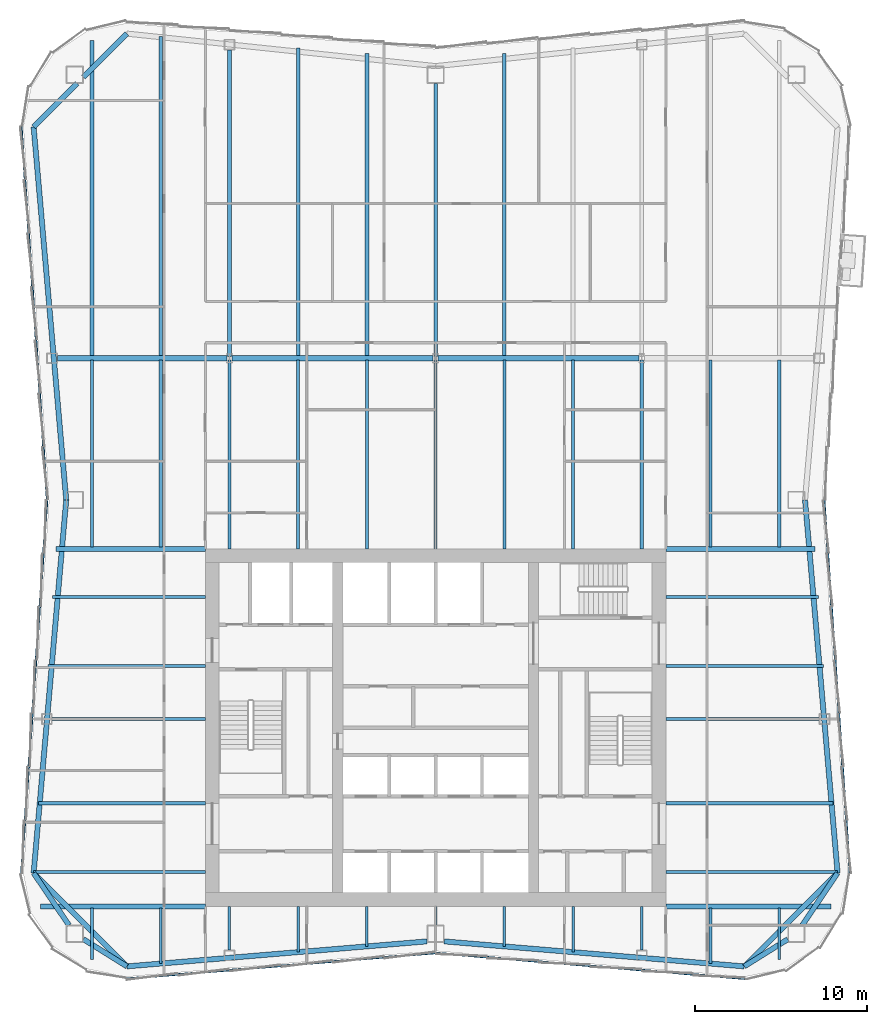
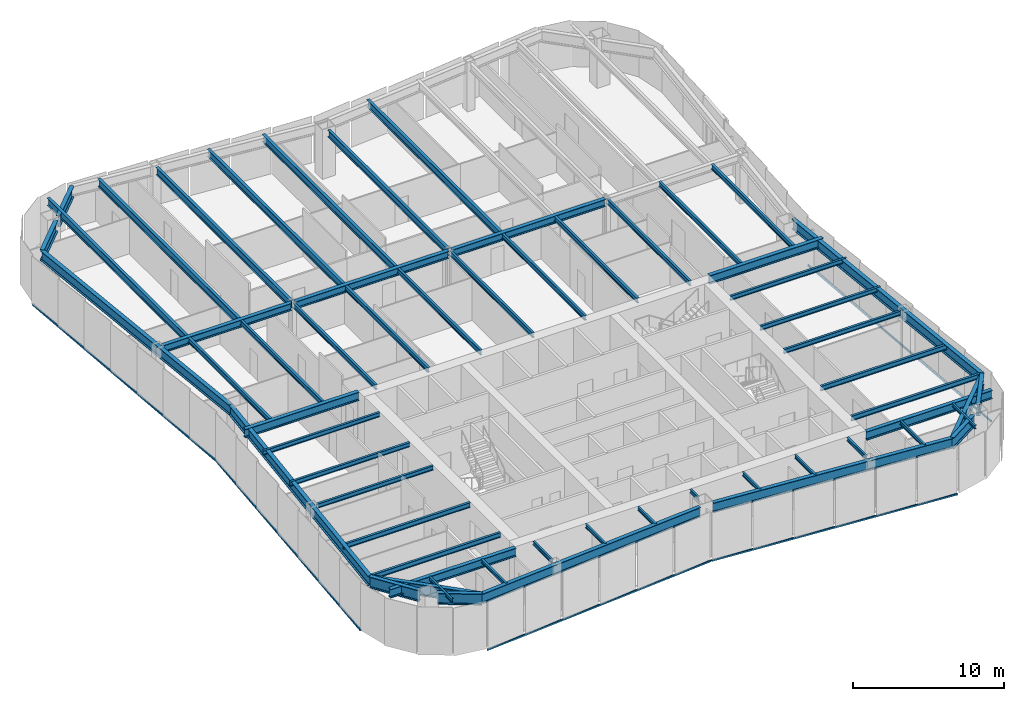
# One storey, part 3 of 11: 59 beams, 5 members, 3 elements without a shape of their own.
"""IFC4 building model written with IfcOpenShell, lengths in metres."""

from ifc_helpers import new_model, si_unit, direction, frame, origin, origin_2d, place, context, subcontext, project, spatial, rectangle, i_section, extrude, material, material_profile, profile_set, type_object, element, aggregate, save


model = new_model("IFC4")

# Units and contexts
model_context = context("Model", 3, precision=1e-05, world=origin(), true_north=direction((0.0, 1.0)))
body_context = subcontext(model_context, "Body", "Model", "MODEL_VIEW")
ifc_project = project(units=[si_unit("LENGTHUNIT", "METRE"), si_unit("AREAUNIT", "SQUARE_METRE"), si_unit("VOLUMEUNIT", "CUBIC_METRE"), si_unit("PLANEANGLEUNIT", "RADIAN"), si_unit("MASSUNIT", "GRAM", prefix="KILO")], contexts=[model_context])

# Site, building, storey
site_placement = place(None, origin())
site = spatial("IfcSite", under=ifc_project, at=site_placement, CompositionType="ELEMENT")
building_placement = place(site_placement, origin())
building = spatial("IfcBuilding", under=site, at=building_placement, Name="Verdant Reach Tower", CompositionType="ELEMENT")
storey_placement = place(building_placement, frame((0.0, 0.0, 254.0)))
storey = spatial("IfcBuildingStorey", under=building, at=storey_placement, Name="L58", CompositionType="ELEMENT", Elevation=254.0)

# Curtain wall, member
ifc_material_1 = material(Name="Anodised aluminium", Category="aluminium")
curtain_wall_type = type_object("IfcCurtainWallType", Name="EN-CW SYSTEM Z4", PredefinedType="NOTDEFINED", material=ifc_material_1)
curtain_wall_1_placement = place(storey_placement, origin())
curtain_wall_1 = element("IfcCurtainWall", 1, at=curtain_wall_1_placement, inside=storey, type_object=curtain_wall_type, Name="Curtain wall east, L58", PredefinedType="NOTDEFINED")
ifc_material_profile_1 = material_profile(ifc_material_1, rectangle(XDim=0.10009765625, YDim=0.1279296875, at=origin_2d()), Name="Transom 128x100")
ifc_profile_set_1 = profile_set([ifc_material_profile_1], Name="Anodised aluminium")
member_type = type_object("IfcMemberType", Name="EN-TRANSOM Z4", PredefinedType="USERDEFINED", material=ifc_profile_set_1)
member_1_placement = place(storey_placement, frame((24.109375, 19.52685546875, -0.285888671875), z_axis=(-0.068770489035, 0.997632507408, 0.0), x_axis=(-0.997632507408, -0.068770489035, 0.0)))
member_1 = element("IfcMember", 2, at=member_1_placement, type_object=member_type, Name="Transom east face part 1 1.1, L58", ObjectType="TRANSOM", PredefinedType="USERDEFINED", context=body_context, shape_type="SweptSolid", body=[
    extrude(rectangle(XDim=0.10009765625, YDim=0.1279296875, at=origin_2d()), origin(), (0.0, 0.0, 1.0), 21.74072265625),
])
aggregate(curtain_wall_1, [member_1])

# Curtain wall, members
curtain_wall_2_placement = place(storey_placement, origin())
curtain_wall_2 = element("IfcCurtainWall", 3, at=curtain_wall_2_placement, inside=storey, type_object=curtain_wall_type, Name="Curtain wall west, L58", PredefinedType="NOTDEFINED")
member_2_placement = place(storey_placement, frame((-24.109375, 62.97314453125, -0.285888671875), z_axis=(0.068770489035, -0.997632507408, 0.0), x_axis=(0.997632507408, 0.068770489035, 0.0)))
member_2 = element("IfcMember", 4, at=member_2_placement, type_object=member_type, Name="Transom west face part 1 1.1, L58", ObjectType="TRANSOM", PredefinedType="USERDEFINED", context=body_context, shape_type="SweptSolid", body=[
    extrude(rectangle(XDim=0.10009765625, YDim=0.1279296875, at=origin_2d()), origin(), (0.0, 0.0, 1.0), 21.74072265625),
])
member_3_placement = place(storey_placement, frame((-22.6142578125, 41.216064453125, -0.285888671875), z_axis=(-0.068770489035, -0.997632507408, 0.0), x_axis=(0.997632507408, -0.068770489035, 0.0)))
member_3 = element("IfcMember", 5, at=member_3_placement, type_object=member_type, Name="Transom west face part 2 1.1, L58", ObjectType="TRANSOM", PredefinedType="USERDEFINED", context=body_context, shape_type="SweptSolid", body=[
    extrude(rectangle(XDim=0.10009765625, YDim=0.1279296875, at=origin_2d()), origin(), (0.0, 0.0, 1.0), 21.74072265625),
])
aggregate(curtain_wall_2, [member_2, member_3])

curtain_wall_3_placement = place(storey_placement, origin())
curtain_wall_3 = element("IfcCurtainWall", 6, at=curtain_wall_3_placement, inside=storey, type_object=curtain_wall_type, Name="Curtain wall south, L58", PredefinedType="NOTDEFINED")
member_4_placement = place(storey_placement, frame((-17.972412109375, 13.39111328125, -0.285888671875), z_axis=(0.996549124771, 0.083005071637, 0.0), x_axis=(-0.083005071637, 0.996549124771, 0.0)))
member_4 = element("IfcMember", 7, at=member_4_placement, type_object=member_type, Name="Transom south face part 1 1.1, L58", ObjectType="TRANSOM", PredefinedType="USERDEFINED", context=body_context, shape_type="SweptSolid", body=[
    extrude(rectangle(XDim=0.10009765625, YDim=0.1279296875, at=origin_2d()), origin(), (0.0, 0.0, 1.0), 18.00048828125),
])
member_5_placement = place(storey_placement, frame((0.033935546875, 14.88525390625, -0.285888671875), z_axis=(0.996549124771, -0.083005071637, 0.0), x_axis=(0.083005071637, 0.996549124771, 0.0)))
member_5 = element("IfcMember", 8, at=member_5_placement, type_object=member_type, Name="Transom south face part 2 1.1, L58", ObjectType="TRANSOM", PredefinedType="USERDEFINED", context=body_context, shape_type="SweptSolid", body=[
    extrude(rectangle(XDim=0.10009765625, YDim=0.1279296875, at=origin_2d()), origin(), (0.0, 0.0, 1.0), 18.00048828125),
])
aggregate(curtain_wall_3, [member_4, member_5])

# Beams
ifc_material_2 = material(Name="Steel S355", Category="steel")
ifc_material_profile_2 = material_profile(ifc_material_2, i_section(OverallWidth=0.300048828125, OverallDepth=0.60009765625, WebThickness=0.015380859375, FlangeThickness=0.030029296875, FilletRadius=0.027099609375, at=origin_2d()), Name="HEB 600")
ifc_profile_set_2 = profile_set([ifc_material_profile_2], Name="Steel S355")
beam_type_1 = type_object("IfcBeamType", Name="ST-BEAM-HEB600", PredefinedType="BEAM", material=ifc_profile_set_2)
beam_1_placement = place(storey_placement, frame((-22.01904296875, 49.5, 3.570068359375), z_axis=(1.0, 0.0, 0.0), x_axis=(0.0, 1.0, 0.0)))
element("IfcBeam", 9, at=beam_1_placement, inside=storey, type_object=beam_type_1, Name="Row girder, L58", PredefinedType="BEAM", context=body_context, shape_type="SweptSolid", body=[
    extrude(i_section(OverallWidth=0.300048828125, OverallDepth=0.60009765625, WebThickness=0.015380859375, FlangeThickness=0.030029296875, FilletRadius=0.027099609375, at=origin_2d()), origin(), (0.0, 0.0, 1.0), 9.865966796875),
])
for number, where, z_axis, x_axis, name in (
    (10, (-11.846923828125, 49.5, 3.570068359375), (1.0, 0.0, 0.0), (0.0, 1.0, 0.0), "Row girder, L58"),
    (11, (0.153076171875, 49.5, 3.570068359375), (1.0, 0.0, 0.0), (0.0, 1.0, 0.0), "Row girder, L58"),
):
    element("IfcBeam", number, at=place(storey_placement, frame(where, z_axis=z_axis, x_axis=x_axis)), inside=storey, type_object=beam_type_1, Name=name, PredefinedType="BEAM", context=body_context, shape_type="SweptSolid", body=[
        extrude(i_section(OverallWidth=0.300048828125, OverallDepth=0.60009765625, WebThickness=0.015380859375, FlangeThickness=0.030029296875, FilletRadius=0.027099609375, at=origin_2d()), origin(), (0.0, 0.0, 1.0), 11.69384765625),
    ])
ifc_material_profile_3 = material_profile(ifc_material_2, i_section(OverallWidth=0.300048828125, OverallDepth=0.699951171875, WebThickness=0.01708984375, FlangeThickness=0.031982421875, FilletRadius=0.027099609375, at=origin_2d()), Name="HEB 700")
ifc_profile_set_3 = profile_set([ifc_material_profile_3], Name="Steel S355")
beam_type_2 = type_object("IfcBeamType", Name="ST-BEAM-HEB700", PredefinedType="BEAM", material=ifc_profile_set_3)
for number, where, z_axis, x_axis, name in (
    (12, (13.39990234375, 38.39990234375, 3.52001953125), (1.0, 0.0, 0.0), (0.0, 1.0, 0.0), "Trimmer beam, L58"),
    (13, (-13.39990234375, 38.39990234375, 3.52001953125), (-1.0, 0.0, 0.0), (0.0, -1.0, 0.0), "Trimmer beam, L58"),
):
    element("IfcBeam", number, at=place(storey_placement, frame(where, z_axis=z_axis, x_axis=x_axis)), inside=storey, type_object=beam_type_2, Name=name, PredefinedType="BEAM", context=body_context, shape_type="SweptSolid", body=[
        extrude(i_section(OverallWidth=0.300048828125, OverallDepth=0.699951171875, WebThickness=0.01708984375, FlangeThickness=0.031982421875, FilletRadius=0.027099609375, at=origin_2d()), origin(), (0.0, 0.0, 1.0), 8.6953125),
    ])
for number, where, z_axis, x_axis, name in (
    (14, (13.39990234375, 17.60009765625, 3.52001953125), (1.0, 0.0, 0.0), (0.0, 1.0, 0.0), "Trimmer beam, L58"),
    (15, (-13.39990234375, 17.60009765625, 3.52001953125), (-1.0, 0.0, 0.0), (0.0, -1.0, 0.0), "Trimmer beam, L58"),
):
    element("IfcBeam", number, at=place(storey_placement, frame(where, z_axis=z_axis, x_axis=x_axis)), inside=storey, type_object=beam_type_2, Name=name, PredefinedType="BEAM", context=body_context, shape_type="SweptSolid", body=[
        extrude(i_section(OverallWidth=0.300048828125, OverallDepth=0.699951171875, WebThickness=0.01708984375, FlangeThickness=0.031982421875, FilletRadius=0.027099609375, at=origin_2d()), origin(), (0.0, 0.0, 1.0), 9.6103515625),
    ])
ifc_material_profile_4 = material_profile(ifc_material_2, i_section(OverallWidth=0.302001953125, OverallDepth=0.909912109375, WebThickness=0.02099609375, FlangeThickness=0.0400390625, FilletRadius=0.030029296875, at=origin_2d()), Name="HEM 900")
ifc_profile_set_4 = profile_set([ifc_material_profile_4], Name="Steel S355")
beam_type_3 = type_object("IfcBeamType", Name="ST-BEAM-HEM900", PredefinedType="BEAM", material=ifc_profile_set_4)
beam_2_placement = place(storey_placement, frame((20.5, 15.687744140625, 3.4150390625), z_axis=(-0.848163521635, -0.529734500073, 0.0), x_axis=(0.529734500073, -0.848163521635, 0.0)))
element("IfcBeam", 16, at=beam_2_placement, inside=storey, type_object=beam_type_3, Name="Column stub beam, L58", PredefinedType="BEAM", context=body_context, shape_type="SweptSolid", body=[
    extrude(i_section(OverallWidth=0.302001953125, OverallDepth=0.909912109375, WebThickness=0.02099609375, FlangeThickness=0.0400390625, FilletRadius=0.030029296875, at=origin_2d()), origin(), (0.0, 0.0, 1.0), 2.98779296875),
])
beam_3_placement = place(storey_placement, frame((21.33837890625, 16.5, 3.4150390625), z_axis=(0.560703975309, 0.828016335631, 0.0), x_axis=(-0.828016335631, 0.560703975309, 0.0)))
element("IfcBeam", 17, at=beam_3_placement, inside=storey, type_object=beam_type_3, Name="Column stub beam, L58", PredefinedType="BEAM", context=body_context, shape_type="SweptSolid", body=[
    extrude(i_section(OverallWidth=0.302001953125, OverallDepth=0.909912109375, WebThickness=0.02099609375, FlangeThickness=0.0400390625, FilletRadius=0.030029296875, at=origin_2d()), origin(), (0.0, 0.0, 1.0), 3.669677734375),
])
beam_4_placement = place(storey_placement, frame((-20.5, 15.687744140625, 3.4150390625), z_axis=(0.848163521635, -0.529734500073, 0.0), x_axis=(0.529734500073, 0.848163521635, 0.0)))
element("IfcBeam", 18, at=beam_4_placement, inside=storey, type_object=beam_type_3, Name="Column stub beam, L58", PredefinedType="BEAM", context=body_context, shape_type="SweptSolid", body=[
    extrude(i_section(OverallWidth=0.302001953125, OverallDepth=0.909912109375, WebThickness=0.02099609375, FlangeThickness=0.0400390625, FilletRadius=0.030029296875, at=origin_2d()), origin(), (0.0, 0.0, 1.0), 2.98779296875),
])
beam_5_placement = place(storey_placement, frame((-21.33837890625, 16.5, 3.4150390625), z_axis=(-0.560703975309, 0.828016335631, 0.0), x_axis=(-0.828016335631, -0.560703975309, 0.0)))
element("IfcBeam", 19, at=beam_5_placement, inside=storey, type_object=beam_type_3, Name="Column stub beam, L58", PredefinedType="BEAM", context=body_context, shape_type="SweptSolid", body=[
    extrude(i_section(OverallWidth=0.302001953125, OverallDepth=0.909912109375, WebThickness=0.02099609375, FlangeThickness=0.0400390625, FilletRadius=0.030029296875, at=origin_2d()), origin(), (0.0, 0.0, 1.0), 3.669677734375),
])
ifc_material_profile_5 = material_profile(ifc_material_2, i_section(OverallWidth=0.14990234375, OverallDepth=0.300048828125, WebThickness=0.007080078125, FlangeThickness=0.0107421875, FilletRadius=0.014892578125, at=origin_2d()), Name="IPE 300")
ifc_profile_set_5 = profile_set([ifc_material_profile_5], Name="Steel S355")
beam_type_4 = type_object("IfcBeamType", Name="ST-JOIST-IPE300", PredefinedType="JOIST", material=ifc_profile_set_5)
beam_6_placement = place(storey_placement, frame((-20.0, 17.5, 3.719970703125), z_axis=(0.0, -1.0, 0.0), x_axis=(1.0, 0.0, 0.0)))
element("IfcBeam", 20, at=beam_6_placement, inside=storey, type_object=beam_type_4, Name="Floor joist, L58", PredefinedType="JOIST", context=body_context, shape_type="SweptSolid", body=[
    extrude(i_section(OverallWidth=0.14990234375, OverallDepth=0.300048828125, WebThickness=0.007080078125, FlangeThickness=0.0107421875, FilletRadius=0.014892578125, at=origin_2d()), origin(), (0.0, 0.0, 1.0), 2.990478515625),
])
beam_7_placement = place(storey_placement, frame((-16.0, 17.5, 3.719970703125), z_axis=(0.0, -1.0, 0.0), x_axis=(1.0, 0.0, 0.0)))
element("IfcBeam", 21, at=beam_7_placement, inside=storey, type_object=beam_type_4, Name="Floor joist, L58", PredefinedType="JOIST", context=body_context, shape_type="SweptSolid", body=[
    extrude(i_section(OverallWidth=0.14990234375, OverallDepth=0.300048828125, WebThickness=0.007080078125, FlangeThickness=0.0107421875, FilletRadius=0.014892578125, at=origin_2d()), origin(), (0.0, 0.0, 1.0), 3.231201171875),
])
beam_8_placement = place(storey_placement, frame((-12.0, 17.60009765625, 3.719970703125), z_axis=(0.0, -1.0, 0.0), x_axis=(1.0, 0.0, 0.0)))
element("IfcBeam", 22, at=beam_8_placement, inside=storey, type_object=beam_type_4, Name="Floor joist, L58", PredefinedType="JOIST", context=body_context, shape_type="SweptSolid", body=[
    extrude(i_section(OverallWidth=0.14990234375, OverallDepth=0.300048828125, WebThickness=0.007080078125, FlangeThickness=0.0107421875, FilletRadius=0.014892578125, at=origin_2d()), origin(), (0.0, 0.0, 1.0), 2.550048828125),
])
beam_9_placement = place(storey_placement, frame((-8.0, 17.60009765625, 3.719970703125), z_axis=(0.0, -1.0, 0.0), x_axis=(1.0, 0.0, 0.0)))
element("IfcBeam", 23, at=beam_9_placement, inside=storey, type_object=beam_type_4, Name="Floor joist, L58", PredefinedType="JOIST", context=body_context, shape_type="SweptSolid", body=[
    extrude(i_section(OverallWidth=0.14990234375, OverallDepth=0.300048828125, WebThickness=0.007080078125, FlangeThickness=0.0107421875, FilletRadius=0.014892578125, at=origin_2d()), origin(), (0.0, 0.0, 1.0), 2.664794921875),
])
beam_10_placement = place(storey_placement, frame((-4.0, 17.60009765625, 3.719970703125), z_axis=(0.0, -1.0, 0.0), x_axis=(1.0, 0.0, 0.0)))
element("IfcBeam", 24, at=beam_10_placement, inside=storey, type_object=beam_type_4, Name="Floor joist, L58", PredefinedType="JOIST", context=body_context, shape_type="SweptSolid", body=[
    extrude(i_section(OverallWidth=0.14990234375, OverallDepth=0.300048828125, WebThickness=0.007080078125, FlangeThickness=0.0107421875, FilletRadius=0.014892578125, at=origin_2d()), origin(), (0.0, 0.0, 1.0), 2.331298828125),
])
beam_11_placement = place(storey_placement, frame((0.0, 17.60009765625, 3.719970703125), z_axis=(0.0, -1.0, 0.0), x_axis=(1.0, 0.0, 0.0)))
element("IfcBeam", 25, at=beam_11_placement, inside=storey, type_object=beam_type_4, Name="Floor joist, L58", PredefinedType="JOIST", context=body_context, shape_type="SweptSolid", body=[
    extrude(i_section(OverallWidth=0.14990234375, OverallDepth=0.300048828125, WebThickness=0.007080078125, FlangeThickness=0.0107421875, FilletRadius=0.014892578125, at=origin_2d()), origin(), (0.0, 0.0, 1.0), 1.10009765625),
])
beam_12_placement = place(storey_placement, frame((4.0, 17.60009765625, 3.719970703125), z_axis=(0.0, -1.0, 0.0), x_axis=(1.0, 0.0, 0.0)))
element("IfcBeam", 26, at=beam_12_placement, inside=storey, type_object=beam_type_4, Name="Floor joist, L58", PredefinedType="JOIST", context=body_context, shape_type="SweptSolid", body=[
    extrude(i_section(OverallWidth=0.14990234375, OverallDepth=0.300048828125, WebThickness=0.007080078125, FlangeThickness=0.0107421875, FilletRadius=0.014892578125, at=origin_2d()), origin(), (0.0, 0.0, 1.0), 2.331298828125),
])
beam_13_placement = place(storey_placement, frame((8.0, 17.60009765625, 3.719970703125), z_axis=(0.0, -1.0, 0.0), x_axis=(1.0, 0.0, 0.0)))
element("IfcBeam", 27, at=beam_13_placement, inside=storey, type_object=beam_type_4, Name="Floor joist, L58", PredefinedType="JOIST", context=body_context, shape_type="SweptSolid", body=[
    extrude(i_section(OverallWidth=0.14990234375, OverallDepth=0.300048828125, WebThickness=0.007080078125, FlangeThickness=0.0107421875, FilletRadius=0.014892578125, at=origin_2d()), origin(), (0.0, 0.0, 1.0), 2.664794921875),
])
beam_14_placement = place(storey_placement, frame((12.0, 17.60009765625, 3.719970703125), z_axis=(0.0, -1.0, 0.0), x_axis=(1.0, 0.0, 0.0)))
element("IfcBeam", 28, at=beam_14_placement, inside=storey, type_object=beam_type_4, Name="Floor joist, L58", PredefinedType="JOIST", context=body_context, shape_type="SweptSolid", body=[
    extrude(i_section(OverallWidth=0.14990234375, OverallDepth=0.300048828125, WebThickness=0.007080078125, FlangeThickness=0.0107421875, FilletRadius=0.014892578125, at=origin_2d()), origin(), (0.0, 0.0, 1.0), 2.550048828125),
])
beam_15_placement = place(storey_placement, frame((16.0, 17.5, 3.719970703125), z_axis=(0.0, -1.0, 0.0), x_axis=(1.0, 0.0, 0.0)))
element("IfcBeam", 29, at=beam_15_placement, inside=storey, type_object=beam_type_4, Name="Floor joist, L58", PredefinedType="JOIST", context=body_context, shape_type="SweptSolid", body=[
    extrude(i_section(OverallWidth=0.14990234375, OverallDepth=0.300048828125, WebThickness=0.007080078125, FlangeThickness=0.0107421875, FilletRadius=0.014892578125, at=origin_2d()), origin(), (0.0, 0.0, 1.0), 3.231201171875),
])
beam_16_placement = place(storey_placement, frame((20.0, 17.5, 3.719970703125), z_axis=(0.0, -1.0, 0.0), x_axis=(1.0, 0.0, 0.0)))
element("IfcBeam", 30, at=beam_16_placement, inside=storey, type_object=beam_type_4, Name="Floor joist, L58", PredefinedType="JOIST", context=body_context, shape_type="SweptSolid", body=[
    extrude(i_section(OverallWidth=0.14990234375, OverallDepth=0.300048828125, WebThickness=0.007080078125, FlangeThickness=0.0107421875, FilletRadius=0.014892578125, at=origin_2d()), origin(), (0.0, 0.0, 1.0), 2.990478515625),
])
ifc_material_profile_6 = material_profile(ifc_material_2, i_section(OverallWidth=0.169921875, OverallDepth=0.360107421875, WebThickness=0.008056640625, FlangeThickness=0.0126953125, FilletRadius=0.01806640625, at=origin_2d()), Name="IPE 360")
ifc_profile_set_6 = profile_set([ifc_material_profile_6], Name="Steel S355")
beam_type_5 = type_object("IfcBeamType", Name="ST-JOIST-IPE360", PredefinedType="JOIST", material=ifc_profile_set_6)
for number, where, z_axis, x_axis, name in (
    (31, (13.39990234375, 28.5, 3.68994140625), (1.0, 0.0, 0.0), (0.0, 1.0, 0.0), "Floor joist, L58"),
    (32, (-13.39990234375, 28.5, 3.68994140625), (-1.0, 0.0, 0.0), (0.0, -1.0, 0.0), "Floor joist, L58"),
):
    element("IfcBeam", number, at=place(storey_placement, frame(where, z_axis=z_axis, x_axis=x_axis)), inside=storey, type_object=beam_type_5, Name=name, PredefinedType="JOIST", context=body_context, shape_type="SweptSolid", body=[
        extrude(i_section(OverallWidth=0.169921875, OverallDepth=0.360107421875, WebThickness=0.008056640625, FlangeThickness=0.0126953125, FilletRadius=0.01806640625, at=origin_2d()), origin(), (0.0, 0.0, 1.0), 8.929443359375),
    ])
for number, where, z_axis, x_axis, name in (
    (33, (13.39990234375, 31.60009765625, 3.68994140625), (1.0, 0.0, 0.0), (0.0, 1.0, 0.0), "Floor joist, L58"),
    (34, (-13.39990234375, 31.60009765625, 3.68994140625), (-1.0, 0.0, 0.0), (0.0, -1.0, 0.0), "Floor joist, L58"),
):
    element("IfcBeam", number, at=place(storey_placement, frame(where, z_axis=z_axis, x_axis=x_axis)), inside=storey, type_object=beam_type_5, Name=name, PredefinedType="JOIST", context=body_context, shape_type="SweptSolid", body=[
        extrude(i_section(OverallWidth=0.169921875, OverallDepth=0.360107421875, WebThickness=0.008056640625, FlangeThickness=0.0126953125, FilletRadius=0.01806640625, at=origin_2d()), origin(), (0.0, 0.0, 1.0), 9.164306640625),
    ])
for number, where, z_axis, x_axis, name in (
    (35, (13.39990234375, 35.60009765625, 3.68994140625), (1.0, 0.0, 0.0), (0.0, 1.0, 0.0), "Floor joist, L58"),
    (36, (-13.39990234375, 35.60009765625, 3.68994140625), (-1.0, 0.0, 0.0), (0.0, -1.0, 0.0), "Floor joist, L58"),
):
    element("IfcBeam", number, at=place(storey_placement, frame(where, z_axis=z_axis, x_axis=x_axis)), inside=storey, type_object=beam_type_5, Name=name, PredefinedType="JOIST", context=body_context, shape_type="SweptSolid", body=[
        extrude(i_section(OverallWidth=0.169921875, OverallDepth=0.360107421875, WebThickness=0.008056640625, FlangeThickness=0.0126953125, FilletRadius=0.01806640625, at=origin_2d()), origin(), (0.0, 0.0, 1.0), 8.88818359375),
    ])
ifc_material_profile_7 = material_profile(ifc_material_2, i_section(OverallWidth=0.179931640625, OverallDepth=0.39990234375, WebThickness=0.008544921875, FlangeThickness=0.013427734375, FilletRadius=0.02099609375, at=origin_2d()), Name="IPE 400")
ifc_profile_set_7 = profile_set([ifc_material_profile_7], Name="Steel S355")
beam_type_6 = type_object("IfcBeamType", Name="ST-JOIST-IPE400", PredefinedType="JOIST", material=ifc_profile_set_7)
for number, where, z_axis, x_axis, name in (
    (37, (-20.0, 38.5, 3.669921875), (0.0, 1.0, 0.0), (-1.0, 0.0, 0.0), "Floor joist, L58"),
    (38, (-16.0, 38.5, 3.669921875), (0.0, 1.0, 0.0), (-1.0, 0.0, 0.0), "Floor joist, L58"),
):
    element("IfcBeam", number, at=place(storey_placement, frame(where, z_axis=z_axis, x_axis=x_axis)), inside=storey, type_object=beam_type_6, Name=name, PredefinedType="JOIST", context=body_context, shape_type="SweptSolid", body=[
        extrude(i_section(OverallWidth=0.179931640625, OverallDepth=0.39990234375, WebThickness=0.008544921875, FlangeThickness=0.013427734375, FilletRadius=0.02099609375, at=origin_2d()), origin(), (0.0, 0.0, 1.0), 10.89990234375),
    ])
for number, where, z_axis, x_axis, name in (
    (39, (-12.0, 38.39990234375, 3.669921875), (0.0, 1.0, 0.0), (-1.0, 0.0, 0.0), "Floor joist, L58"),
    (40, (-8.0, 38.39990234375, 3.669921875), (0.0, 1.0, 0.0), (-1.0, 0.0, 0.0), "Floor joist, L58"),
    (41, (-4.0, 38.39990234375, 3.669921875), (0.0, 1.0, 0.0), (-1.0, 0.0, 0.0), "Floor joist, L58"),
    (42, (0.0, 38.39990234375, 3.669921875), (0.0, 1.0, 0.0), (-1.0, 0.0, 0.0), "Floor joist, L58"),
    (43, (4.0, 38.39990234375, 3.669921875), (0.0, 1.0, 0.0), (-1.0, 0.0, 0.0), "Floor joist, L58"),
    (44, (8.0, 38.39990234375, 3.669921875), (0.0, 1.0, 0.0), (-1.0, 0.0, 0.0), "Floor joist, L58"),
    (45, (12.0, 38.39990234375, 3.669921875), (0.0, 1.0, 0.0), (-1.0, 0.0, 0.0), "Floor joist, L58"),
):
    element("IfcBeam", number, at=place(storey_placement, frame(where, z_axis=z_axis, x_axis=x_axis)), inside=storey, type_object=beam_type_6, Name=name, PredefinedType="JOIST", context=body_context, shape_type="SweptSolid", body=[
        extrude(i_section(OverallWidth=0.179931640625, OverallDepth=0.39990234375, WebThickness=0.008544921875, FlangeThickness=0.013427734375, FilletRadius=0.02099609375, at=origin_2d()), origin(), (0.0, 0.0, 1.0), 11.0),
    ])
for number, where, z_axis, x_axis, name in (
    (46, (16.0, 38.5, 3.669921875), (0.0, 1.0, 0.0), (-1.0, 0.0, 0.0), "Floor joist, L58"),
    (47, (20.0, 38.5, 3.669921875), (0.0, 1.0, 0.0), (-1.0, 0.0, 0.0), "Floor joist, L58"),
):
    element("IfcBeam", number, at=place(storey_placement, frame(where, z_axis=z_axis, x_axis=x_axis)), inside=storey, type_object=beam_type_6, Name=name, PredefinedType="JOIST", context=body_context, shape_type="SweptSolid", body=[
        extrude(i_section(OverallWidth=0.179931640625, OverallDepth=0.39990234375, WebThickness=0.008544921875, FlangeThickness=0.013427734375, FilletRadius=0.02099609375, at=origin_2d()), origin(), (0.0, 0.0, 1.0), 10.89990234375),
    ])
for number, where, z_axis, x_axis, name in (
    (48, (13.39990234375, 19.60009765625, 3.669921875), (1.0, 0.0, 0.0), (0.0, 1.0, 0.0), "Floor joist, L58"),
    (49, (-13.39990234375, 19.60009765625, 3.669921875), (-1.0, 0.0, 0.0), (0.0, -1.0, 0.0), "Floor joist, L58"),
):
    element("IfcBeam", number, at=place(storey_placement, frame(where, z_axis=z_axis, x_axis=x_axis)), inside=storey, type_object=beam_type_6, Name=name, PredefinedType="JOIST", context=body_context, shape_type="SweptSolid", body=[
        extrude(i_section(OverallWidth=0.179931640625, OverallDepth=0.39990234375, WebThickness=0.008544921875, FlangeThickness=0.013427734375, FilletRadius=0.02099609375, at=origin_2d()), origin(), (0.0, 0.0, 1.0), 9.99169921875),
    ])
for number, where, z_axis, x_axis, name in (
    (50, (13.39990234375, 23.60009765625, 3.669921875), (1.0, 0.0, 0.0), (0.0, 1.0, 0.0), "Floor joist, L58"),
    (51, (-13.39990234375, 23.60009765625, 3.669921875), (-1.0, 0.0, 0.0), (0.0, -1.0, 0.0), "Floor joist, L58"),
):
    element("IfcBeam", number, at=place(storey_placement, frame(where, z_axis=z_axis, x_axis=x_axis)), inside=storey, type_object=beam_type_6, Name=name, PredefinedType="JOIST", context=body_context, shape_type="SweptSolid", body=[
        extrude(i_section(OverallWidth=0.179931640625, OverallDepth=0.39990234375, WebThickness=0.008544921875, FlangeThickness=0.013427734375, FilletRadius=0.02099609375, at=origin_2d()), origin(), (0.0, 0.0, 1.0), 9.7158203125),
    ])
ifc_material_profile_8 = material_profile(ifc_material_2, i_section(OverallWidth=0.2099609375, OverallDepth=0.550048828125, WebThickness=0.010986328125, FlangeThickness=0.01708984375, FilletRadius=0.02392578125, at=origin_2d()), Name="IPE 550")
ifc_profile_set_8 = profile_set([ifc_material_profile_8], Name="Steel S355")
beam_type_7 = type_object("IfcBeamType", Name="ST-JOIST-IPE550", PredefinedType="JOIST", material=ifc_profile_set_8)
beam_17_placement = place(storey_placement, frame((0.0, 49.60009765625, 3.594970703125), z_axis=(0.0, 1.0, 0.0), x_axis=(-1.0, 0.0, 0.0)))
element("IfcBeam", 52, at=beam_17_placement, inside=storey, type_object=beam_type_7, Name="Floor joist, L58", PredefinedType="JOIST", context=body_context, shape_type="SweptSolid", body=[
    extrude(i_section(OverallWidth=0.2099609375, OverallDepth=0.550048828125, WebThickness=0.010986328125, FlangeThickness=0.01708984375, FilletRadius=0.02392578125, at=origin_2d()), origin(), (0.0, 0.0, 1.0), 15.89990234375),
])
ifc_material_profile_9 = material_profile(ifc_material_2, i_section(OverallWidth=0.219970703125, OverallDepth=0.60009765625, WebThickness=0.011962890625, FlangeThickness=0.01904296875, FilletRadius=0.02392578125, at=origin_2d()), Name="IPE 600")
ifc_profile_set_9 = profile_set([ifc_material_profile_9], Name="Steel S355")
beam_type_8 = type_object("IfcBeamType", Name="ST-JOIST-IPE600", PredefinedType="JOIST", material=ifc_profile_set_9)
beam_18_placement = place(storey_placement, frame((-20.0, 49.60009765625, 3.570068359375), z_axis=(0.0, 1.0, 0.0), x_axis=(-1.0, 0.0, 0.0)))
element("IfcBeam", 53, at=beam_18_placement, inside=storey, type_object=beam_type_8, Name="Floor joist, L58", PredefinedType="JOIST", context=body_context, shape_type="SweptSolid", body=[
    extrude(i_section(OverallWidth=0.219970703125, OverallDepth=0.60009765625, WebThickness=0.011962890625, FlangeThickness=0.01904296875, FilletRadius=0.02392578125, at=origin_2d()), origin(), (0.0, 0.0, 1.0), 18.390380859375),
])
beam_19_placement = place(storey_placement, frame((-16.0, 49.60009765625, 3.570068359375), z_axis=(0.0, 1.0, 0.0), x_axis=(-1.0, 0.0, 0.0)))
element("IfcBeam", 54, at=beam_19_placement, inside=storey, type_object=beam_type_8, Name="Floor joist, L58", PredefinedType="JOIST", context=body_context, shape_type="SweptSolid", body=[
    extrude(i_section(OverallWidth=0.219970703125, OverallDepth=0.60009765625, WebThickness=0.011962890625, FlangeThickness=0.01904296875, FilletRadius=0.02392578125, at=origin_2d()), origin(), (0.0, 0.0, 1.0), 18.631103515625),
])
beam_20_placement = place(storey_placement, frame((-12.0, 49.60009765625, 3.570068359375), z_axis=(0.0, 1.0, 0.0), x_axis=(-1.0, 0.0, 0.0)))
element("IfcBeam", 55, at=beam_20_placement, inside=storey, type_object=beam_type_8, Name="Floor joist, L58", PredefinedType="JOIST", context=body_context, shape_type="SweptSolid", body=[
    extrude(i_section(OverallWidth=0.219970703125, OverallDepth=0.60009765625, WebThickness=0.011962890625, FlangeThickness=0.01904296875, FilletRadius=0.02392578125, at=origin_2d()), origin(), (0.0, 0.0, 1.0), 17.849853515625),
])
beam_21_placement = place(storey_placement, frame((-8.0, 49.60009765625, 3.570068359375), z_axis=(0.0, 1.0, 0.0), x_axis=(-1.0, 0.0, 0.0)))
element("IfcBeam", 56, at=beam_21_placement, inside=storey, type_object=beam_type_8, Name="Floor joist, L58", PredefinedType="JOIST", context=body_context, shape_type="SweptSolid", body=[
    extrude(i_section(OverallWidth=0.219970703125, OverallDepth=0.60009765625, WebThickness=0.011962890625, FlangeThickness=0.01904296875, FilletRadius=0.02392578125, at=origin_2d()), origin(), (0.0, 0.0, 1.0), 17.964599609375),
])
for number, where, z_axis, x_axis, name in (
    (57, (-4.0, 49.60009765625, 3.570068359375), (0.0, 1.0, 0.0), (-1.0, 0.0, 0.0), "Floor joist, L58"),
    (58, (4.0, 49.60009765625, 3.570068359375), (0.0, 1.0, 0.0), (-1.0, 0.0, 0.0), "Floor joist, L58"),
):
    element("IfcBeam", number, at=place(storey_placement, frame(where, z_axis=z_axis, x_axis=x_axis)), inside=storey, type_object=beam_type_8, Name=name, PredefinedType="JOIST", context=body_context, shape_type="SweptSolid", body=[
        extrude(i_section(OverallWidth=0.219970703125, OverallDepth=0.60009765625, WebThickness=0.011962890625, FlangeThickness=0.01904296875, FilletRadius=0.02392578125, at=origin_2d()), origin(), (0.0, 0.0, 1.0), 17.631103515625),
    ])
ifc_material_profile_10 = material_profile(ifc_material_2, i_section(OverallWidth=0.300048828125, OverallDepth=0.800048828125, WebThickness=0.017578125, FlangeThickness=0.032958984375, FilletRadius=0.030029296875, at=origin_2d()), Name="HEB 800")
ifc_profile_set_10 = profile_set([ifc_material_profile_10], Name="Steel S355")
beam_type_9 = type_object("IfcBeamType", Name="ST-SPANDREL-HEB800", PredefinedType="SPANDREL", material=ifc_profile_set_10)
for number, where, z_axis, x_axis, name in (
    (59, (17.9658203125, 14.10498046875, 3.469970703125), (-0.99654652675, 0.083036257282, 0.0), (-0.083036257282, -0.99654652675, 0.0), "Edge beam, L58"),
    (60, (-0.5, 15.560302734375, 3.469970703125), (-0.99654652675, -0.083036257282, 0.0), (0.083036257282, -0.99654652675, 0.0), "Edge beam, L58"),
):
    element("IfcBeam", number, at=place(storey_placement, frame(where, z_axis=z_axis, x_axis=x_axis)), inside=storey, type_object=beam_type_9, Name=name, PredefinedType="SPANDREL", context=body_context, shape_type="SweptSolid", body=[
        extrude(i_section(OverallWidth=0.300048828125, OverallDepth=0.800048828125, WebThickness=0.017578125, FlangeThickness=0.032958984375, FilletRadius=0.030029296875, at=origin_2d()), origin(), (0.0, 0.0, 1.0), 17.5263671875),
    ])
for number, where, z_axis, x_axis, name in (
    (61, (-23.39599609375, 19.53857421875, 3.469970703125), (0.086996024331, 0.996208658741, 0.0), (-0.996208658741, 0.086996024331, 0.0), "Edge beam, L58"),
    (62, (-21.5, 41.25, 3.469970703125), (-0.086996024331, 0.996208658741, 0.0), (-0.996208658741, -0.086996024331, 0.0), "Edge beam, L58"),
    (63, (21.5, 41.25, 3.469970703125), (0.086996024331, -0.996208658741, 0.0), (0.996208658741, 0.086996024331, 0.0), "Edge beam, L58"),
):
    element("IfcBeam", number, at=place(storey_placement, frame(where, z_axis=z_axis, x_axis=x_axis)), inside=storey, type_object=beam_type_9, Name=name, PredefinedType="SPANDREL", context=body_context, shape_type="SweptSolid", body=[
        extrude(i_section(OverallWidth=0.300048828125, OverallDepth=0.800048828125, WebThickness=0.017578125, FlangeThickness=0.032958984375, FilletRadius=0.030029296875, at=origin_2d()), origin(), (0.0, 0.0, 1.0), 21.7939453125),
    ])
ifc_material_profile_11 = material_profile(ifc_material_2, i_section(OverallWidth=0.302001953125, OverallDepth=0.909912109375, WebThickness=0.02099609375, FlangeThickness=0.0400390625, FilletRadius=0.030029296875, at=origin_2d()), Name="HEM 900")
ifc_profile_set_11 = profile_set([ifc_material_profile_11], Name="Steel S355")
beam_type_10 = type_object("IfcBeamType", Name="ST-SPANDREL-HEM900", PredefinedType="SPANDREL", material=ifc_profile_set_11)
beam_22_placement = place(storey_placement, frame((-17.9658203125, 14.10498046875, 3.4150390625), z_axis=(-0.706884275642, 0.707329216738, 0.0), x_axis=(-0.707329216738, -0.706884275642, 0.0)))
element("IfcBeam", 64, at=beam_22_placement, inside=storey, type_object=beam_type_10, Name="Edge beam, L58", PredefinedType="SPANDREL", context=body_context, shape_type="SweptSolid", body=[
    extrude(i_section(OverallWidth=0.302001953125, OverallDepth=0.909912109375, WebThickness=0.02099609375, FlangeThickness=0.0400390625, FilletRadius=0.030029296875, at=origin_2d()), origin(), (0.0, 0.0, 1.0), 7.681884765625),
])
beam_23_placement = place(storey_placement, frame((-23.39599609375, 62.96142578125, 3.4150390625), z_axis=(0.706902680526, 0.707310822952, 0.0), x_axis=(-0.707310822952, 0.706902680526, 0.0)))
element("IfcBeam", 65, at=beam_23_placement, inside=storey, type_object=beam_type_10, Name="Edge beam, L58", PredefinedType="SPANDREL", context=body_context, shape_type="SweptSolid", body=[
    extrude(i_section(OverallWidth=0.302001953125, OverallDepth=0.909912109375, WebThickness=0.02099609375, FlangeThickness=0.0400390625, FilletRadius=0.030029296875, at=origin_2d()), origin(), (0.0, 0.0, 1.0), 3.589111328125),
])
beam_24_placement = place(storey_placement, frame((-20.5, 65.859130859375, 3.4150390625), z_axis=(0.706868394255, 0.707345087777, 0.0), x_axis=(-0.707345087777, 0.706868394255, 0.0)))
element("IfcBeam", 66, at=beam_24_placement, inside=storey, type_object=beam_type_10, Name="Edge beam, L58", PredefinedType="SPANDREL", context=body_context, shape_type="SweptSolid", body=[
    extrude(i_section(OverallWidth=0.302001953125, OverallDepth=0.909912109375, WebThickness=0.02099609375, FlangeThickness=0.0400390625, FilletRadius=0.030029296875, at=origin_2d()), origin(), (0.0, 0.0, 1.0), 3.5849609375),
])
beam_25_placement = place(storey_placement, frame((23.39599609375, 19.53857421875, 3.4150390625), z_axis=(-0.706884275642, -0.707329216738, 0.0), x_axis=(0.707329216738, -0.706884275642, 0.0)))
element("IfcBeam", 67, at=beam_25_placement, inside=storey, type_object=beam_type_10, Name="Edge beam, L58", PredefinedType="SPANDREL", context=body_context, shape_type="SweptSolid", body=[
    extrude(i_section(OverallWidth=0.302001953125, OverallDepth=0.909912109375, WebThickness=0.02099609375, FlangeThickness=0.0400390625, FilletRadius=0.030029296875, at=origin_2d()), origin(), (0.0, 0.0, 1.0), 7.681884765625),
])

save(model, "model.ifc")
